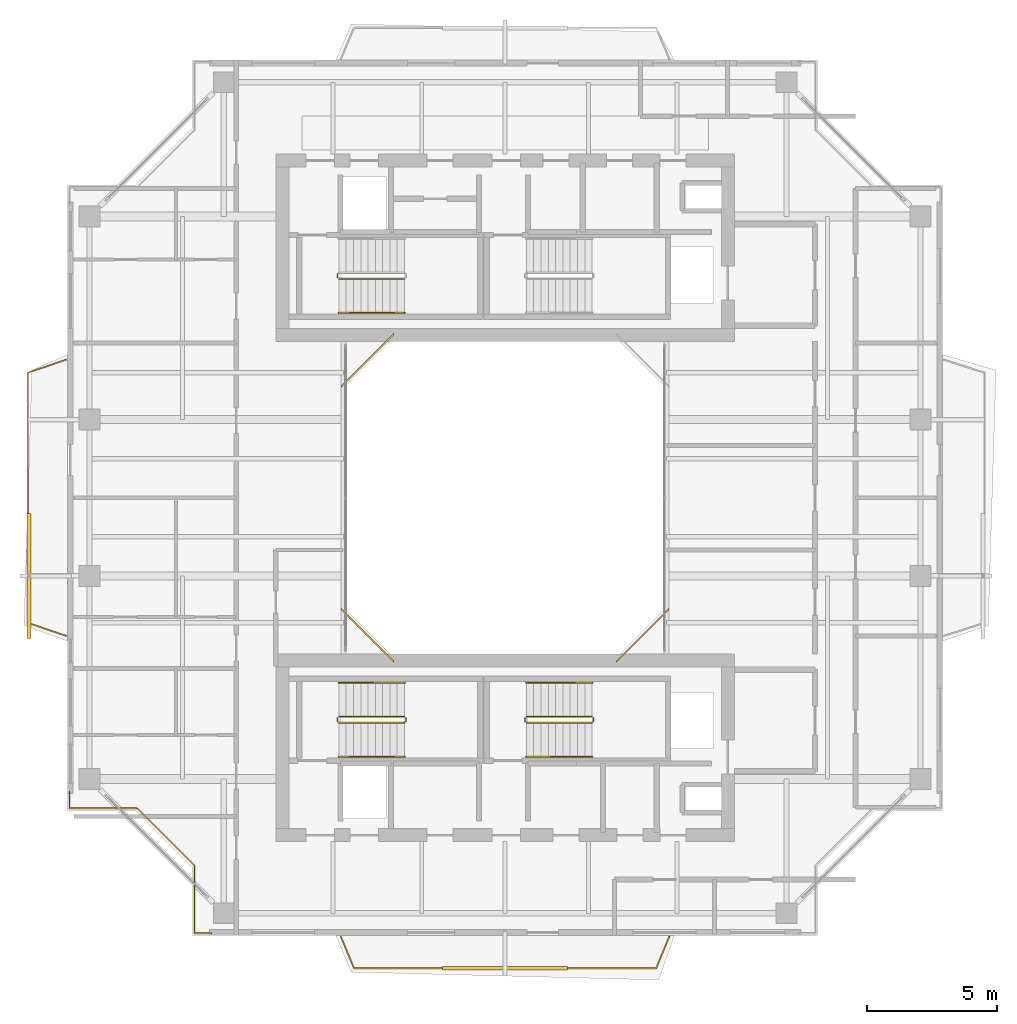
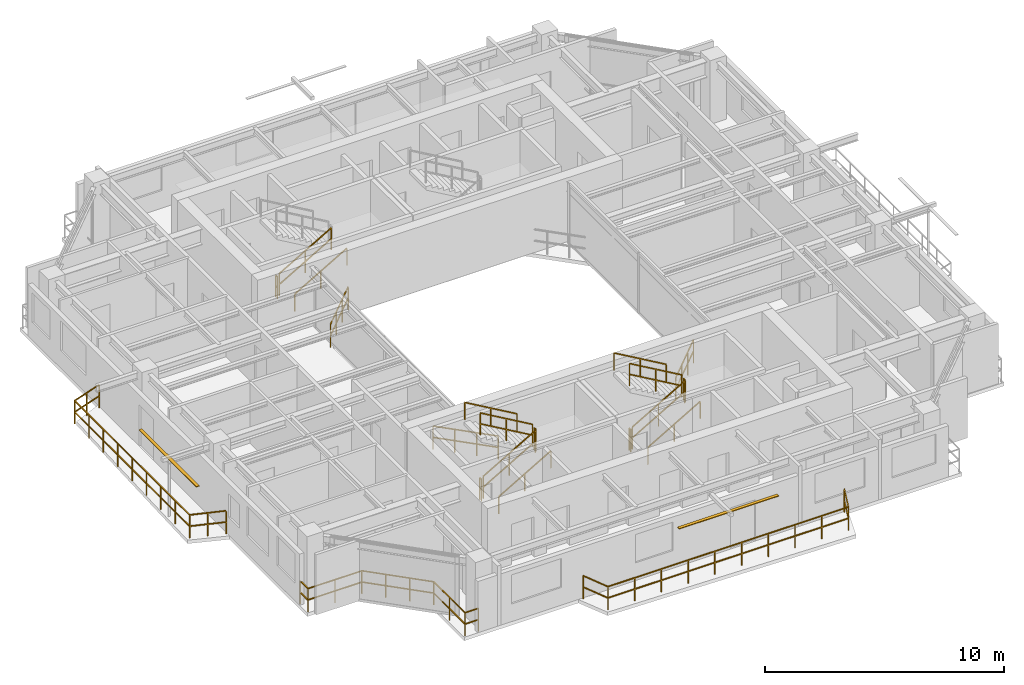
# One storey, part 14 of 16: 21 railings, 2 shading devices.
"""IFC4 building model written with IfcOpenShell, lengths in metres."""

import ifcopenshell
import ifcopenshell.guid

model = None  # the IFC model being written
_history = None  # IfcOwnerHistory: only IFC2X3 demands one
_inside = {}  # id of a spatial element -> (the spatial element, [elements in it])
_under = {}  # id of a project, library or spatial element -> (it, [spatial elements below it])
_declared = {}  # id of a project -> (the project, [libraries it declares])
_typed = {}  # id of a type object -> (the type object, [elements of that type])
_made_of = {}  # id of a material, layer set ... -> (it, [elements and type objects made of it])


def new_model(schema):
    """Start an empty IFC model of exactly this schema.

    Asked for "IFC4X3", IfcOpenShell would pick the latest addendum, in which some entities
    have other attributes; the version numbers below select the first issue.
    IFC2X3 requires an IfcOwnerHistory on every rooted entity: one is made here for all.
    """
    global model, _history
    if schema == "IFC4X3":
        model = ifcopenshell.file(schema_version=(4, 3, 0, 0))
    else:
        model = ifcopenshell.file(schema=schema)
    _inside.clear()
    _under.clear()
    _declared.clear()
    _typed.clear()
    _made_of.clear()
    _history = None
    if model.schema == "IFC2X3":
        org = make("IfcOrganization", Name="unknown")
        user = make(
            "IfcPersonAndOrganization",
            ThePerson=make("IfcPerson", FamilyName="unknown"),
            TheOrganization=org,
        )
        app = make(
            "IfcApplication",
            ApplicationDeveloper=org,
            Version="unknown",
            ApplicationFullName="unknown",
            ApplicationIdentifier="unknown",
        )
        _history = make(
            "IfcOwnerHistory",
            OwningUser=user,
            OwningApplication=app,
            ChangeAction="ADDED",
            CreationDate=0,
        )
    return model


def make(cls, **values):
    """One entity of the class cls with the attributes given. An attribute that is None is left unset."""
    return model.create_entity(
        cls, **{name: value for name, value in values.items() if value is not None}
    )


def rooted(cls, **values):
    """An entity with a GlobalId (a new one), such as an element, a storey or a relation."""
    return make(cls, GlobalId=ifcopenshell.guid.new(), OwnerHistory=_history, **values)


def si_unit(unit_type, name, prefix=None):
    """IfcSIUnit, for example si_unit("LENGTHUNIT", "METRE", prefix="MILLI")."""
    return make("IfcSIUnit", UnitType=unit_type, Prefix=prefix, Name=name)


def assignment(units):
    """IfcUnitAssignment: the units of a project."""
    return None if units is None else make("IfcUnitAssignment", Units=units)


def point(xyz):
    """IfcCartesianPoint."""
    return None if xyz is None else make("IfcCartesianPoint", Coordinates=xyz)


def direction(xyz):
    """IfcDirection."""
    return None if xyz is None else make("IfcDirection", DirectionRatios=xyz)


def frame(location, z_axis=None, x_axis=None):
    """IfcAxis2Placement3D, a coordinate frame: its origin and axes. An axis left out is left unset."""
    return make(
        "IfcAxis2Placement3D",
        Location=point(location),
        Axis=direction(z_axis),
        RefDirection=direction(x_axis),
    )


def frame_2d(location, x_axis=None):
    """IfcAxis2Placement2D, a coordinate frame in the plane: its origin and x axis."""
    return make(
        "IfcAxis2Placement2D", Location=point(location), RefDirection=direction(x_axis)
    )


def origin():
    """The frame at (0, 0, 0) with its axes left unset."""
    return frame((0.0, 0.0, 0.0))


def origin_2d():
    """The frame at (0, 0) in the plane with its x axis left unset."""
    return frame_2d((0.0, 0.0))


def place(relative_to, where):
    """IfcLocalPlacement: puts the frame where relative to a parent placement (None: the world)."""
    return make(
        "IfcLocalPlacement", PlacementRelTo=relative_to, RelativePlacement=where
    )


def context(
    kind, dimensions, precision=None, world=None, true_north=None, identifier=None
):
    """IfcGeometricRepresentationContext, for example the 3D "Model" context."""
    return make(
        "IfcGeometricRepresentationContext",
        ContextIdentifier=identifier,
        ContextType=kind,
        CoordinateSpaceDimension=dimensions,
        Precision=precision,
        WorldCoordinateSystem=world,
        TrueNorth=true_north,
    )


def subcontext(parent, identifier, kind, view, scale=None):
    """IfcGeometricRepresentationSubContext, for example "Body" below "Model"."""
    return make(
        "IfcGeometricRepresentationSubContext",
        ContextIdentifier=identifier,
        ContextType=kind,
        ParentContext=parent,
        TargetScale=scale,
        TargetView=view,
    )


def project(units=None, contexts=None):
    """IfcProject with its units and contexts."""
    return rooted(
        "IfcProject",
        Name="project",
        RepresentationContexts=contexts,
        UnitsInContext=assignment(units),
    )


def spatial(cls, under=None, at=None, **own):
    """A site, building, storey or space (cls), placed at a placement, below another one or the project."""
    s = rooted(cls, ObjectPlacement=at, **own)
    if under is not None:
        _under.setdefault(under.id(), (under, []))[1].append(s)
    return s


def profile(cls, at=None, kind="AREA", **sizes):
    """A parametric profile (cls). Its sizes go by their IFC names, for example OverallWidth=200.0."""
    return make(cls, ProfileType=kind, Position=at, **sizes)


def rectangle(**sizes):
    """IfcRectangleProfileDef."""
    return profile("IfcRectangleProfileDef", **sizes)


def extrude(swept, where, along, depth):
    """IfcExtrudedAreaSolid: the profile swept, set in the frame where, extruded along a direction by depth."""
    return make(
        "IfcExtrudedAreaSolid",
        SweptArea=swept,
        Position=where,
        ExtrudedDirection=direction(along),
        Depth=depth,
    )


def shape(context_of_items, identifier, shape_type, items):
    """IfcShapeRepresentation: the items that make up one representation, for example the "Body"."""
    return make(
        "IfcShapeRepresentation",
        ContextOfItems=context_of_items,
        RepresentationIdentifier=identifier,
        RepresentationType=shape_type,
        Items=items,
    )


def source(mapping_origin, context_of_items, identifier, shape_type, items):
    """IfcRepresentationMap: a shape defined once, which mapped items show again and again."""
    return make(
        "IfcRepresentationMap",
        MappingOrigin=mapping_origin,
        MappedRepresentation=shape(context_of_items, identifier, shape_type, items),
    )


def transform(
    local_origin,
    x_axis=None,
    y_axis=None,
    z_axis=None,
    scale=None,
    scale2=None,
    scale3=None,
    uniform=True,
):
    """IfcCartesianTransformationOperator3D, or its non-uniform kind. x_axis, y_axis, z_axis: its Axis1, 2, 3."""
    if uniform:
        return make(
            "IfcCartesianTransformationOperator3D",
            Axis1=direction(x_axis),
            Axis2=direction(y_axis),
            LocalOrigin=point(local_origin),
            Scale=scale,
            Axis3=direction(z_axis),
        )
    return make(
        "IfcCartesianTransformationOperator3DnonUniform",
        Axis1=direction(x_axis),
        Axis2=direction(y_axis),
        LocalOrigin=point(local_origin),
        Scale=scale,
        Axis3=direction(z_axis),
        Scale2=scale2,
        Scale3=scale3,
    )


def mapped(mapping_source, mapping_target):
    """IfcMappedItem: shows the shape of a source again, moved by a transform."""
    return make(
        "IfcMappedItem", MappingSource=mapping_source, MappingTarget=mapping_target
    )


def material(Name=None, Category=None):
    """IfcMaterial."""
    return make("IfcMaterial", Name=Name, Category=Category)


def material_profile(
    of_material, cross_section, Name=None, Category=None, Priority=None
):
    """IfcMaterialProfile: a cross section and its material."""
    return make(
        "IfcMaterialProfile",
        Name=Name,
        Material=of_material,
        Profile=cross_section,
        Priority=Priority,
        Category=Category,
    )


def profile_set(profiles, Name=None, composite=None):
    """IfcMaterialProfileSet."""
    return make(
        "IfcMaterialProfileSet",
        Name=Name,
        MaterialProfiles=profiles,
        CompositeProfile=composite,
    )


def made_of(thing, what):
    """Note that an element or type object is made of a material, layer set ...; save() writes the relation."""
    if what is not None:
        _made_of.setdefault(what.id(), (what, []))[1].append(thing)
    return thing


def type_object(cls, material=None, **own):
    """A type object (cls), such as IfcWallType, which elements share."""
    return made_of(rooted(cls, **own), material)


def element(
    cls,
    number,
    at=None,
    inside=None,
    cuts=None,
    type_object=None,
    material=None,
    context=None,
    identifier="Body",
    shape_type=None,
    held_by="IfcProductDefinitionShape",
    body=None,
    shapes=None,
    **own,
):
    """One element of the class cls, such as IfcWall. Its Tag is "e" and its number.

    at: its placement. inside: the storey or other place that contains it. cuts: it is an
    opening in that element (IfcRelVoidsElement). A single representation is given by context,
    identifier, shape_type and body (its items); several are given by shapes. held_by: the class
    of the entity that holds the representations. save() writes the other relations.
    """
    e = rooted(cls, Tag="e%d" % number, ObjectPlacement=at, **own)
    if body is not None:
        shapes = [shape(context, identifier, shape_type, body)]
    if shapes is not None:
        e.Representation = make(held_by, Representations=shapes)
    if inside is not None:
        _inside.setdefault(inside.id(), (inside, []))[1].append(e)
    if cuts is not None:
        rooted(
            "IfcRelVoidsElement", RelatingBuildingElement=cuts, RelatedOpeningElement=e
        )
    if type_object is not None:
        _typed.setdefault(type_object.id(), (type_object, []))[1].append(e)
    return made_of(e, material)


def aggregate(whole, parts):
    """IfcRelAggregates: a whole, such as a stair, and the parts it consists of."""
    return rooted("IfcRelAggregates", RelatingObject=whole, RelatedObjects=parts)


def save(model, path):
    """Write the relations noted so far, then the file.

    IfcRelAggregates (storeys below a building ...), IfcRelContainedInSpatialStructure (elements
    in a storey), IfcRelDefinesByType, IfcRelAssociatesMaterial and IfcRelDeclares: one each for
    every whole, place, type object, material and project.
    """
    for whole, parts in _under.values():
        aggregate(whole, parts)
    for where, things in _inside.values():
        rooted(
            "IfcRelContainedInSpatialStructure",
            RelatedElements=things,
            RelatingStructure=where,
        )
    for kind, things in _typed.values():
        rooted("IfcRelDefinesByType", RelatedObjects=things, RelatingType=kind)
    for what, things in _made_of.values():
        rooted("IfcRelAssociatesMaterial", RelatedObjects=things, RelatingMaterial=what)
    for by, libraries in _declared.values():
        rooted("IfcRelDeclares", RelatingContext=by, RelatedDefinitions=libraries)
    model.write(path)


model = new_model("IFC4")

# Units and contexts
model_context = context("Model", 3, precision=1e-05, world=origin(), true_north=direction((0.0, 1.0)))
body_context = subcontext(model_context, "Body", "Model", "MODEL_VIEW")
ifc_project = project(units=[si_unit("LENGTHUNIT", "METRE"), si_unit("AREAUNIT", "SQUARE_METRE"), si_unit("VOLUMEUNIT", "CUBIC_METRE"), si_unit("PLANEANGLEUNIT", "RADIAN"), si_unit("MASSUNIT", "GRAM", prefix="KILO"), si_unit("THERMODYNAMICTEMPERATUREUNIT", "KELVIN"), si_unit("POWERUNIT", "WATT")], contexts=[model_context])

# Site, building, storey
site_placement = place(None, origin())
site = spatial("IfcSite", under=ifc_project, at=site_placement, CompositionType="ELEMENT")
building_placement = place(site_placement, origin())
building = spatial("IfcBuilding", under=site, at=building_placement, Name="Qiaomeng Ring Towers", CompositionType="ELEMENT")
storey_placement = place(building_placement, frame((0.0, 0.0, 210.0)))
storey = spatial("IfcBuildingStorey", under=building, at=storey_placement, Name="L61", CompositionType="ELEMENT", Elevation=210.0)

# Railings
ifc_material_1 = material(Name="Low-E pale-green laminated safety glass", Category="glass")
railing_type_1 = type_object("IfcRailingType", Name="ARC-RL-BAL1", PredefinedType="BALUSTRADE", material=ifc_material_1)
railing_1_placement = place(storey_placement, frame((23.280029296875, 16.719970703125, 0.0)))
element("IfcRailing", 1, at=railing_1_placement, inside=storey, type_object=railing_type_1, Name="L61 Balustrade ARC-BAL-WELL1-L61-1", PredefinedType="BALUSTRADE", context=body_context, shape_type="SweptSolid", body=[
    extrude(rectangle(XDim=0.048095703125, YDim=0.048095703125, at=origin_2d()), frame((0.0, 0.0, 1.17578125), z_axis=(0.707106781187, 0.707106781187, 0.0), x_axis=(-0.707106781187, 0.707106781187, 0.0)), (0.0, 0.0, 1.0), 2.828369140625),
    extrude(rectangle(XDim=0.048095703125, YDim=0.048095703125, at=origin_2d()), frame((0.0, 0.0, 0.60009765625), z_axis=(0.707106781187, 0.707106781187, 0.0), x_axis=(-0.707106781187, 0.707106781187, 0.0)), (0.0, 0.0, 1.0), 2.828369140625),
    extrude(rectangle(XDim=0.0419921875, YDim=0.0419921875, at=origin_2d()), origin(), (0.0, 0.0, 1.0), 1.15185546875),
    extrude(rectangle(XDim=0.0419921875, YDim=0.0419921875, at=origin_2d()), frame((0.666748046875, 0.666748046875, 0.0)), (0.0, 0.0, 1.0), 1.15185546875),
    extrude(rectangle(XDim=0.0419921875, YDim=0.0419921875, at=origin_2d()), frame((1.333251953125, 1.333251953125, 0.0)), (0.0, 0.0, 1.0), 1.15185546875),
    extrude(rectangle(XDim=0.0419921875, YDim=0.0419921875, at=origin_2d()), frame((2.0, 2.0, 0.0)), (0.0, 0.0, 1.0), 1.15185546875),
])
railing_2_placement = place(storey_placement, frame((14.719970703125, 29.280029296875, 0.0)))
element("IfcRailing", 2, at=railing_2_placement, inside=storey, type_object=railing_type_1, Name="L61 Balustrade ARC-BAL-WELL1-L61-3", PredefinedType="BALUSTRADE", context=body_context, shape_type="SweptSolid", body=[
    extrude(rectangle(XDim=0.048095703125, YDim=0.048095703125, at=origin_2d()), frame((0.0, 0.0, 1.17578125), z_axis=(-0.707106781187, -0.707106781187, 0.0), x_axis=(0.707106781187, -0.707106781187, 0.0)), (0.0, 0.0, 1.0), 2.828369140625),
    extrude(rectangle(XDim=0.048095703125, YDim=0.048095703125, at=origin_2d()), frame((0.0, 0.0, 0.60009765625), z_axis=(-0.707106781187, -0.707106781187, 0.0), x_axis=(0.707106781187, -0.707106781187, 0.0)), (0.0, 0.0, 1.0), 2.828369140625),
    extrude(rectangle(XDim=0.0419921875, YDim=0.0419921875, at=origin_2d()), origin(), (0.0, 0.0, 1.0), 1.15185546875),
    extrude(rectangle(XDim=0.0419921875, YDim=0.0419921875, at=origin_2d()), frame((-0.666748046875, -0.666748046875, 0.0)), (0.0, 0.0, 1.0), 1.15185546875),
    extrude(rectangle(XDim=0.0419921875, YDim=0.0419921875, at=origin_2d()), frame((-1.333251953125, -1.333251953125, 0.0)), (0.0, 0.0, 1.0), 1.15185546875),
    extrude(rectangle(XDim=0.0419921875, YDim=0.0419921875, at=origin_2d()), frame((-2.0, -2.0, 0.0)), (0.0, 0.0, 1.0), 1.15185546875),
])
railing_3_placement = place(storey_placement, frame((12.719970703125, 18.719970703125, 0.0)))
element("IfcRailing", 3, at=railing_3_placement, inside=storey, type_object=railing_type_1, Name="L61 Balustrade ARC-BAL-WELL1-L61-4", PredefinedType="BALUSTRADE", context=body_context, shape_type="SweptSolid", body=[
    extrude(rectangle(XDim=0.048095703125, YDim=0.048095703125, at=origin_2d()), frame((0.0, 0.0, 1.17578125), z_axis=(0.707106781187, -0.707106781187, 0.0), x_axis=(0.707106781187, 0.707106781187, 0.0)), (0.0, 0.0, 1.0), 2.828369140625),
    extrude(rectangle(XDim=0.048095703125, YDim=0.048095703125, at=origin_2d()), frame((0.0, 0.0, 0.60009765625), z_axis=(0.707106781187, -0.707106781187, 0.0), x_axis=(0.707106781187, 0.707106781187, 0.0)), (0.0, 0.0, 1.0), 2.828369140625),
    extrude(rectangle(XDim=0.0419921875, YDim=0.0419921875, at=origin_2d()), origin(), (0.0, 0.0, 1.0), 1.15185546875),
    extrude(rectangle(XDim=0.0419921875, YDim=0.0419921875, at=origin_2d()), frame((0.666748046875, -0.666748046875, 0.0)), (0.0, 0.0, 1.0), 1.15185546875),
    extrude(rectangle(XDim=0.0419921875, YDim=0.0419921875, at=origin_2d()), frame((1.333251953125, -1.333251953125, 0.0)), (0.0, 0.0, 1.0), 1.15185546875),
    extrude(rectangle(XDim=0.0419921875, YDim=0.0419921875, at=origin_2d()), frame((2.0, -2.0, 0.0)), (0.0, 0.0, 1.0), 1.15185546875),
])
railing_4_placement = place(storey_placement, frame((2.280029296875, 11.72998046875, 0.0)))
element("IfcRailing", 4, at=railing_4_placement, inside=storey, type_object=railing_type_1, Name="L61 Balustrade ARC-BAL-NOTCH1-L61-SW", PredefinedType="BALUSTRADE", context=body_context, shape_type="SweptSolid", body=[
    extrude(rectangle(XDim=0.048095703125, YDim=0.048095703125, at=origin_2d()), frame((0.0, 0.0, 1.17578125), z_axis=(0.0, -1.0, 0.0), x_axis=(1.0, 0.0, 0.0)), (0.0, 0.0, 1.0), 0.64990234375),
    extrude(rectangle(XDim=0.048095703125, YDim=0.048095703125, at=origin_2d()), frame((0.0, 0.0, 0.60009765625), z_axis=(0.0, -1.0, 0.0), x_axis=(1.0, 0.0, 0.0)), (0.0, 0.0, 1.0), 0.64990234375),
    extrude(rectangle(XDim=0.048095703125, YDim=0.048095703125, at=origin_2d()), frame((0.0, -0.64990234375, 1.17578125), z_axis=(1.0, 0.0, 0.0), x_axis=(0.0, 1.0, 0.0)), (0.0, 0.0, 1.0), 2.599853515625),
    extrude(rectangle(XDim=0.048095703125, YDim=0.048095703125, at=origin_2d()), frame((0.0, -0.64990234375, 0.60009765625), z_axis=(1.0, 0.0, 0.0), x_axis=(0.0, 1.0, 0.0)), (0.0, 0.0, 1.0), 2.599853515625),
    extrude(rectangle(XDim=0.048095703125, YDim=0.048095703125, at=origin_2d()), frame((2.599853515625, -0.64990234375, 1.17578125), z_axis=(0.707106781187, -0.707106781187, 0.0), x_axis=(0.707106781187, 0.707106781187, 0.0)), (0.0, 0.0, 1.0), 3.111572265625),
    extrude(rectangle(XDim=0.048095703125, YDim=0.048095703125, at=origin_2d()), frame((2.599853515625, -0.64990234375, 0.60009765625), z_axis=(0.707106781187, -0.707106781187, 0.0), x_axis=(0.707106781187, 0.707106781187, 0.0)), (0.0, 0.0, 1.0), 3.111572265625),
    extrude(rectangle(XDim=0.048095703125, YDim=0.048095703125, at=origin_2d()), frame((4.800048828125, -2.85009765625, 1.17578125), z_axis=(0.0, -1.0, 0.0), x_axis=(1.0, 0.0, 0.0)), (0.0, 0.0, 1.0), 2.599853515625),
    extrude(rectangle(XDim=0.048095703125, YDim=0.048095703125, at=origin_2d()), frame((4.800048828125, -2.85009765625, 0.60009765625), z_axis=(0.0, -1.0, 0.0), x_axis=(1.0, 0.0, 0.0)), (0.0, 0.0, 1.0), 2.599853515625),
    extrude(rectangle(XDim=0.048095703125, YDim=0.048095703125, at=origin_2d()), frame((4.800048828125, -5.449951171875, 1.17578125), z_axis=(1.0, 0.0, 0.0), x_axis=(0.0, 1.0, 0.0)), (0.0, 0.0, 1.0), 0.64990234375),
    extrude(rectangle(XDim=0.048095703125, YDim=0.048095703125, at=origin_2d()), frame((4.800048828125, -5.449951171875, 0.60009765625), z_axis=(1.0, 0.0, 0.0), x_axis=(0.0, 1.0, 0.0)), (0.0, 0.0, 1.0), 0.64990234375),
    extrude(rectangle(XDim=0.0419921875, YDim=0.0419921875, at=origin_2d()), origin(), (0.0, 0.0, 1.0), 1.15185546875),
    extrude(rectangle(XDim=0.0419921875, YDim=0.0419921875, at=origin_2d()), frame((0.0, -0.64990234375, 0.0)), (0.0, 0.0, 1.0), 1.15185546875),
    extrude(rectangle(XDim=0.0419921875, YDim=0.0419921875, at=origin_2d()), frame((1.2998046875, -0.64990234375, 0.0)), (0.0, 0.0, 1.0), 1.15185546875),
    extrude(rectangle(XDim=0.0419921875, YDim=0.0419921875, at=origin_2d()), frame((2.599853515625, -0.64990234375, 0.0)), (0.0, 0.0, 1.0), 1.15185546875),
    extrude(rectangle(XDim=0.0419921875, YDim=0.0419921875, at=origin_2d()), frame((3.333251953125, -1.38330078125, 0.0)), (0.0, 0.0, 1.0), 1.15185546875),
    extrude(rectangle(XDim=0.0419921875, YDim=0.0419921875, at=origin_2d()), frame((4.066650390625, -2.11669921875, 0.0)), (0.0, 0.0, 1.0), 1.15185546875),
    extrude(rectangle(XDim=0.0419921875, YDim=0.0419921875, at=origin_2d()), frame((4.800048828125, -2.85009765625, 0.0)), (0.0, 0.0, 1.0), 1.15185546875),
    extrude(rectangle(XDim=0.0419921875, YDim=0.0419921875, at=origin_2d()), frame((4.800048828125, -4.14990234375, 0.0)), (0.0, 0.0, 1.0), 1.15185546875),
    extrude(rectangle(XDim=0.0419921875, YDim=0.0419921875, at=origin_2d()), frame((4.800048828125, -5.449951171875, 0.0)), (0.0, 0.0, 1.0), 1.15185546875),
    extrude(rectangle(XDim=0.0419921875, YDim=0.0419921875, at=origin_2d()), frame((5.449951171875, -5.449951171875, 0.0)), (0.0, 0.0, 1.0), 1.15185546875),
])
railing_5_placement = place(storey_placement, frame((12.699951171875, 6.14990234375, 0.0)))
element("IfcRailing", 5, at=railing_5_placement, inside=storey, type_object=railing_type_1, Name="L61 Balustrade ARC-BAL-L61-T1-S", PredefinedType="BALUSTRADE", context=body_context, shape_type="SweptSolid", body=[
    extrude(rectangle(XDim=0.048095703125, YDim=0.048095703125, at=origin_2d()), frame((0.0, 0.0, 1.17578125), z_axis=(0.381912525892, -0.924198475743, 0.0), x_axis=(0.924198475743, 0.381912525892, 0.0)), (0.0, 0.0, 1.0), 1.30908203125),
    extrude(rectangle(XDim=0.048095703125, YDim=0.048095703125, at=origin_2d()), frame((0.0, 0.0, 0.60009765625), z_axis=(0.381912525892, -0.924198475743, 0.0), x_axis=(0.924198475743, 0.381912525892, 0.0)), (0.0, 0.0, 1.0), 1.30908203125),
    extrude(rectangle(XDim=0.048095703125, YDim=0.048095703125, at=origin_2d()), frame((0.5, -1.2099609375, 1.17578125), z_axis=(1.0, 0.0, 0.0), x_axis=(0.0, 1.0, 0.0)), (0.0, 0.0, 1.0), 11.60009765625),
    extrude(rectangle(XDim=0.048095703125, YDim=0.048095703125, at=origin_2d()), frame((0.5, -1.2099609375, 0.60009765625), z_axis=(1.0, 0.0, 0.0), x_axis=(0.0, 1.0, 0.0)), (0.0, 0.0, 1.0), 11.60009765625),
    extrude(rectangle(XDim=0.048095703125, YDim=0.048095703125, at=origin_2d()), frame((12.10009765625, -1.2099609375, 1.17578125), z_axis=(0.381912525892, 0.924198475743, 0.0), x_axis=(-0.924198475743, 0.381912525892, 0.0)), (0.0, 0.0, 1.0), 1.30908203125),
    extrude(rectangle(XDim=0.048095703125, YDim=0.048095703125, at=origin_2d()), frame((12.10009765625, -1.2099609375, 0.60009765625), z_axis=(0.381912525892, 0.924198475743, 0.0), x_axis=(-0.924198475743, 0.381912525892, 0.0)), (0.0, 0.0, 1.0), 1.30908203125),
    extrude(rectangle(XDim=0.0419921875, YDim=0.0419921875, at=origin_2d()), origin(), (0.0, 0.0, 1.0), 1.15185546875),
    extrude(rectangle(XDim=0.0419921875, YDim=0.0419921875, at=origin_2d()), frame((0.5, -1.2099609375, 0.0)), (0.0, 0.0, 1.0), 1.15185546875),
    extrude(rectangle(XDim=0.0419921875, YDim=0.0419921875, at=origin_2d()), frame((1.788818359375, -1.2099609375, 0.0)), (0.0, 0.0, 1.0), 1.15185546875),
    extrude(rectangle(XDim=0.0419921875, YDim=0.0419921875, at=origin_2d()), frame((3.077880859375, -1.2099609375, 0.0)), (0.0, 0.0, 1.0), 1.15185546875),
    extrude(rectangle(XDim=0.0419921875, YDim=0.0419921875, at=origin_2d()), frame((4.36669921875, -1.2099609375, 0.0)), (0.0, 0.0, 1.0), 1.15185546875),
    extrude(rectangle(XDim=0.0419921875, YDim=0.0419921875, at=origin_2d()), frame((5.655517578125, -1.2099609375, 0.0)), (0.0, 0.0, 1.0), 1.15185546875),
    extrude(rectangle(XDim=0.0419921875, YDim=0.0419921875, at=origin_2d()), frame((6.944580078125, -1.2099609375, 0.0)), (0.0, 0.0, 1.0), 1.15185546875),
    extrude(rectangle(XDim=0.0419921875, YDim=0.0419921875, at=origin_2d()), frame((8.2333984375, -1.2099609375, 0.0)), (0.0, 0.0, 1.0), 1.15185546875),
    extrude(rectangle(XDim=0.0419921875, YDim=0.0419921875, at=origin_2d()), frame((9.522216796875, -1.2099609375, 0.0)), (0.0, 0.0, 1.0), 1.15185546875),
    extrude(rectangle(XDim=0.0419921875, YDim=0.0419921875, at=origin_2d()), frame((10.811279296875, -1.2099609375, 0.0)), (0.0, 0.0, 1.0), 1.15185546875),
    extrude(rectangle(XDim=0.0419921875, YDim=0.0419921875, at=origin_2d()), frame((12.10009765625, -1.2099609375, 0.0)), (0.0, 0.0, 1.0), 1.15185546875),
    extrude(rectangle(XDim=0.0419921875, YDim=0.0419921875, at=origin_2d()), frame((12.60009765625, 0.0, 0.0)), (0.0, 0.0, 1.0), 1.15185546875),
])
railing_6_placement = place(storey_placement, frame((2.14990234375, 17.699951171875, 0.0)))
element("IfcRailing", 6, at=railing_6_placement, inside=storey, type_object=railing_type_1, Name="L61 Balustrade ARC-BAL-L61-T1-W", PredefinedType="BALUSTRADE", context=body_context, shape_type="SweptSolid", body=[
    extrude(rectangle(XDim=0.048095703125, YDim=0.048095703125, at=origin_2d()), frame((0.0, 0.0, 1.17578125), z_axis=(-0.946731524739, 0.322023943309, 0.0), x_axis=(-0.322023943309, -0.946731524739, 0.0)), (0.0, 0.0, 1.0), 1.552734375),
    extrude(rectangle(XDim=0.048095703125, YDim=0.048095703125, at=origin_2d()), frame((0.0, 0.0, 0.60009765625), z_axis=(-0.946731524739, 0.322023943309, 0.0), x_axis=(-0.322023943309, -0.946731524739, 0.0)), (0.0, 0.0, 1.0), 1.552734375),
    extrude(rectangle(XDim=0.048095703125, YDim=0.048095703125, at=origin_2d()), frame((-1.469970703125, 0.5, 1.17578125), z_axis=(0.0, 1.0, 0.0), x_axis=(-1.0, 0.0, 0.0)), (0.0, 0.0, 1.0), 9.60009765625),
    extrude(rectangle(XDim=0.048095703125, YDim=0.048095703125, at=origin_2d()), frame((-1.469970703125, 0.5, 0.60009765625), z_axis=(0.0, 1.0, 0.0), x_axis=(-1.0, 0.0, 0.0)), (0.0, 0.0, 1.0), 9.60009765625),
    extrude(rectangle(XDim=0.048095703125, YDim=0.048095703125, at=origin_2d()), frame((-1.469970703125, 10.10009765625, 1.17578125), z_axis=(0.946731524739, 0.322023943309, 0.0), x_axis=(-0.322023943309, 0.946731524739, 0.0)), (0.0, 0.0, 1.0), 1.552734375),
    extrude(rectangle(XDim=0.048095703125, YDim=0.048095703125, at=origin_2d()), frame((-1.469970703125, 10.10009765625, 0.60009765625), z_axis=(0.946731524739, 0.322023943309, 0.0), x_axis=(-0.322023943309, 0.946731524739, 0.0)), (0.0, 0.0, 1.0), 1.552734375),
    extrude(rectangle(XDim=0.0419921875, YDim=0.0419921875, at=origin_2d()), origin(), (0.0, 0.0, 1.0), 1.15185546875),
    extrude(rectangle(XDim=0.0419921875, YDim=0.0419921875, at=origin_2d()), frame((-0.73486328125, 0.25, 0.0)), (0.0, 0.0, 1.0), 1.15185546875),
    extrude(rectangle(XDim=0.0419921875, YDim=0.0419921875, at=origin_2d()), frame((-1.469970703125, 0.5, 0.0)), (0.0, 0.0, 1.0), 1.15185546875),
    extrude(rectangle(XDim=0.0419921875, YDim=0.0419921875, at=origin_2d()), frame((-1.469970703125, 1.699951171875, 0.0)), (0.0, 0.0, 1.0), 1.15185546875),
    extrude(rectangle(XDim=0.0419921875, YDim=0.0419921875, at=origin_2d()), frame((-1.469970703125, 2.89990234375, 0.0)), (0.0, 0.0, 1.0), 1.15185546875),
    extrude(rectangle(XDim=0.0419921875, YDim=0.0419921875, at=origin_2d()), frame((-1.469970703125, 4.10009765625, 0.0)), (0.0, 0.0, 1.0), 1.15185546875),
    extrude(rectangle(XDim=0.0419921875, YDim=0.0419921875, at=origin_2d()), frame((-1.469970703125, 5.300048828125, 0.0)), (0.0, 0.0, 1.0), 1.15185546875),
    extrude(rectangle(XDim=0.0419921875, YDim=0.0419921875, at=origin_2d()), frame((-1.469970703125, 6.5, 0.0)), (0.0, 0.0, 1.0), 1.15185546875),
    extrude(rectangle(XDim=0.0419921875, YDim=0.0419921875, at=origin_2d()), frame((-1.469970703125, 7.7001953125, 0.0)), (0.0, 0.0, 1.0), 1.15185546875),
    extrude(rectangle(XDim=0.0419921875, YDim=0.0419921875, at=origin_2d()), frame((-1.469970703125, 8.900146484375, 0.0)), (0.0, 0.0, 1.0), 1.15185546875),
    extrude(rectangle(XDim=0.0419921875, YDim=0.0419921875, at=origin_2d()), frame((-1.469970703125, 10.10009765625, 0.0)), (0.0, 0.0, 1.0), 1.15185546875),
    extrude(rectangle(XDim=0.0419921875, YDim=0.0419921875, at=origin_2d()), frame((-0.73486328125, 10.35009765625, 0.0)), (0.0, 0.0, 1.0), 1.15185546875),
    extrude(rectangle(XDim=0.0419921875, YDim=0.0419921875, at=origin_2d()), frame((0.0, 10.60009765625, 0.0)), (0.0, 0.0, 1.0), 1.15185546875),
])
ifc_material_2 = material(Name="Galvanised steel", Category="steel")
railing_type_2 = type_object("IfcRailingType", Name="ARC-RL-GUARD", PredefinedType="GUARDRAIL", material=ifc_material_2)
railing_7_placement = place(storey_placement, frame((12.6201171875, 31.39990234375, 0.16259765625)))
element("IfcRailing", 7, at=railing_7_placement, inside=storey, type_object=railing_type_2, Name="L61 ST1 stair guard 1", PredefinedType="GUARDRAIL", context=body_context, shape_type="SweptSolid", body=[
    extrude(rectangle(XDim=0.048095703125, YDim=0.048095703125, at=origin_2d()), frame((0.0, 0.0, 1.1259765625), z_axis=(0.864892226395, 0.0, 0.501957604506), x_axis=(0.0, 1.0, 0.0)), (0.0, 0.0, 1.0), 2.913330078125),
    extrude(rectangle(XDim=0.048095703125, YDim=0.048095703125, at=origin_2d()), frame((0.0, 0.0, 0.574951171875), z_axis=(0.864892226395, 0.0, 0.501957604506), x_axis=(0.0, 1.0, 0.0)), (0.0, 0.0, 1.0), 2.913330078125),
    extrude(rectangle(XDim=0.0419921875, YDim=0.0419921875, at=origin_2d()), origin(), (0.0, 0.0, 1.0), 1.101806640625),
    extrude(rectangle(XDim=0.0419921875, YDim=0.0419921875, at=origin_2d()), frame((1.259765625, 0.0, 0.731201171875)), (0.0, 0.0, 1.0), 1.101806640625),
    extrude(rectangle(XDim=0.0419921875, YDim=0.0419921875, at=origin_2d()), frame((2.519775390625, 0.0, 1.46240234375)), (0.0, 0.0, 1.0), 1.101806640625),
])
railing_8_placement = place(storey_placement, frame((12.570068359375, 31.449951171875, 0.0)))
element("IfcRailing", 8, at=railing_8_placement, inside=storey, type_object=railing_type_2, Name="L61 ST1 stair guard 4", PredefinedType="GUARDRAIL", context=body_context, shape_type="SweptSolid", body=[
    extrude(rectangle(XDim=0.048095703125, YDim=0.048095703125, at=origin_2d()), frame((0.0, 0.0, 1.1259765625), z_axis=(0.0, 1.0, 0.0), x_axis=(-1.0, 0.0, 0.0)), (0.0, 0.0, 1.0), 0.14013671875),
    extrude(rectangle(XDim=0.048095703125, YDim=0.048095703125, at=origin_2d()), frame((0.0, 0.0, 0.574951171875), z_axis=(0.0, 1.0, 0.0), x_axis=(-1.0, 0.0, 0.0)), (0.0, 0.0, 1.0), 0.14013671875),
    extrude(rectangle(XDim=0.0419921875, YDim=0.0419921875, at=origin_2d()), origin(), (0.0, 0.0, 1.0), 1.101806640625),
    extrude(rectangle(XDim=0.0419921875, YDim=0.0419921875, at=origin_2d()), frame((0.0, 0.14013671875, 0.0)), (0.0, 0.0, 1.0), 1.101806640625),
])
railing_9_placement = place(storey_placement, frame((12.6201171875, 14.360107421875, 0.16259765625)))
element("IfcRailing", 9, at=railing_9_placement, inside=storey, type_object=railing_type_2, Name="L61 ST3 stair guard 1", PredefinedType="GUARDRAIL", context=body_context, shape_type="SweptSolid", body=[
    extrude(rectangle(XDim=0.048095703125, YDim=0.048095703125, at=origin_2d()), frame((0.0, 0.0, 1.1259765625), z_axis=(0.864892226395, 0.0, 0.501957604506), x_axis=(0.0, 1.0, 0.0)), (0.0, 0.0, 1.0), 2.913330078125),
    extrude(rectangle(XDim=0.048095703125, YDim=0.048095703125, at=origin_2d()), frame((0.0, 0.0, 0.574951171875), z_axis=(0.864892226395, 0.0, 0.501957604506), x_axis=(0.0, 1.0, 0.0)), (0.0, 0.0, 1.0), 2.913330078125),
    extrude(rectangle(XDim=0.0419921875, YDim=0.0419921875, at=origin_2d()), origin(), (0.0, 0.0, 1.0), 1.101806640625),
    extrude(rectangle(XDim=0.0419921875, YDim=0.0419921875, at=origin_2d()), frame((1.259765625, 0.0, 0.731201171875)), (0.0, 0.0, 1.0), 1.101806640625),
    extrude(rectangle(XDim=0.0419921875, YDim=0.0419921875, at=origin_2d()), frame((2.519775390625, 0.0, 1.46240234375)), (0.0, 0.0, 1.0), 1.101806640625),
])
railing_10_placement = place(storey_placement, frame((15.18994140625, 14.409912109375, 1.625)))
element("IfcRailing", 10, at=railing_10_placement, inside=storey, type_object=railing_type_2, Name="L61 ST3 stair guard 2", PredefinedType="GUARDRAIL", context=body_context, shape_type="SweptSolid", body=[
    extrude(rectangle(XDim=0.048095703125, YDim=0.048095703125, at=origin_2d()), frame((0.0, 0.0, 1.1259765625), z_axis=(0.0, 1.0, 0.0), x_axis=(-1.0, 0.0, 0.0)), (0.0, 0.0, 1.0), 0.14013671875),
    extrude(rectangle(XDim=0.048095703125, YDim=0.048095703125, at=origin_2d()), frame((0.0, 0.0, 0.574951171875), z_axis=(0.0, 1.0, 0.0), x_axis=(-1.0, 0.0, 0.0)), (0.0, 0.0, 1.0), 0.14013671875),
    extrude(rectangle(XDim=0.0419921875, YDim=0.0419921875, at=origin_2d()), origin(), (0.0, 0.0, 1.0), 1.101806640625),
    extrude(rectangle(XDim=0.0419921875, YDim=0.0419921875, at=origin_2d()), frame((0.0, 0.14013671875, 0.0)), (0.0, 0.0, 1.0), 1.101806640625),
])
railing_11_placement = place(storey_placement, frame((15.139892578125, 14.60009765625, 1.78759765625)))
element("IfcRailing", 11, at=railing_11_placement, inside=storey, type_object=railing_type_2, Name="L61 ST3 stair guard 3", PredefinedType="GUARDRAIL", context=body_context, shape_type="SweptSolid", body=[
    extrude(rectangle(XDim=0.048095703125, YDim=0.048095703125, at=origin_2d()), frame((0.0, 0.0, 1.1259765625), z_axis=(-0.864892226395, 0.0, 0.501957604506), x_axis=(0.0, -1.0, 0.0)), (0.0, 0.0, 1.0), 2.913330078125),
    extrude(rectangle(XDim=0.048095703125, YDim=0.048095703125, at=origin_2d()), frame((0.0, 0.0, 0.574951171875), z_axis=(-0.864892226395, 0.0, 0.501957604506), x_axis=(0.0, -1.0, 0.0)), (0.0, 0.0, 1.0), 2.913330078125),
    extrude(rectangle(XDim=0.0419921875, YDim=0.0419921875, at=origin_2d()), origin(), (0.0, 0.0, 1.0), 1.101806640625),
    extrude(rectangle(XDim=0.0419921875, YDim=0.0419921875, at=origin_2d()), frame((-1.259765625, 0.0, 0.731201171875)), (0.0, 0.0, 1.0), 1.101806640625),
    extrude(rectangle(XDim=0.0419921875, YDim=0.0419921875, at=origin_2d()), frame((-2.519775390625, 0.0, 1.46240234375)), (0.0, 0.0, 1.0), 1.101806640625),
])
railing_12_placement = place(storey_placement, frame((12.570068359375, 14.409912109375, 0.0)))
element("IfcRailing", 12, at=railing_12_placement, inside=storey, type_object=railing_type_2, Name="L61 ST3 stair guard 4", PredefinedType="GUARDRAIL", context=body_context, shape_type="SweptSolid", body=[
    extrude(rectangle(XDim=0.048095703125, YDim=0.048095703125, at=origin_2d()), frame((0.0, 0.0, 1.1259765625), z_axis=(0.0, 1.0, 0.0), x_axis=(-1.0, 0.0, 0.0)), (0.0, 0.0, 1.0), 0.14013671875),
    extrude(rectangle(XDim=0.048095703125, YDim=0.048095703125, at=origin_2d()), frame((0.0, 0.0, 0.574951171875), z_axis=(0.0, 1.0, 0.0), x_axis=(-1.0, 0.0, 0.0)), (0.0, 0.0, 1.0), 0.14013671875),
    extrude(rectangle(XDim=0.0419921875, YDim=0.0419921875, at=origin_2d()), origin(), (0.0, 0.0, 1.0), 1.101806640625),
    extrude(rectangle(XDim=0.0419921875, YDim=0.0419921875, at=origin_2d()), frame((0.0, 0.14013671875, 0.0)), (0.0, 0.0, 1.0), 1.101806640625),
])
railing_13_placement = place(storey_placement, frame((19.820068359375, 14.360107421875, 0.16259765625)))
element("IfcRailing", 13, at=railing_13_placement, inside=storey, type_object=railing_type_2, Name="L61 ST4 stair guard 1", PredefinedType="GUARDRAIL", context=body_context, shape_type="SweptSolid", body=[
    extrude(rectangle(XDim=0.048095703125, YDim=0.048095703125, at=origin_2d()), frame((0.0, 0.0, 1.1259765625), z_axis=(0.864913338283, 0.0, 0.50192122615), x_axis=(0.0, 1.0, 0.0)), (0.0, 0.0, 1.0), 2.91357421875),
    extrude(rectangle(XDim=0.048095703125, YDim=0.048095703125, at=origin_2d()), frame((0.0, 0.0, 0.574951171875), z_axis=(0.864913338283, 0.0, 0.50192122615), x_axis=(0.0, 1.0, 0.0)), (0.0, 0.0, 1.0), 2.91357421875),
    extrude(rectangle(XDim=0.0419921875, YDim=0.0419921875, at=origin_2d()), origin(), (0.0, 0.0, 1.0), 1.101806640625),
    extrude(rectangle(XDim=0.0419921875, YDim=0.0419921875, at=origin_2d()), frame((1.260009765625, 0.0, 0.731201171875)), (0.0, 0.0, 1.0), 1.101806640625),
    extrude(rectangle(XDim=0.0419921875, YDim=0.0419921875, at=origin_2d()), frame((2.52001953125, 0.0, 1.46240234375)), (0.0, 0.0, 1.0), 1.101806640625),
])
railing_14_placement = place(storey_placement, frame((22.389892578125, 14.409912109375, 1.625)))
element("IfcRailing", 14, at=railing_14_placement, inside=storey, type_object=railing_type_2, Name="L61 ST4 stair guard 2", PredefinedType="GUARDRAIL", context=body_context, shape_type="SweptSolid", body=[
    extrude(rectangle(XDim=0.048095703125, YDim=0.048095703125, at=origin_2d()), frame((0.0, 0.0, 1.1259765625), z_axis=(0.0, 1.0, 0.0), x_axis=(-1.0, 0.0, 0.0)), (0.0, 0.0, 1.0), 0.14013671875),
    extrude(rectangle(XDim=0.048095703125, YDim=0.048095703125, at=origin_2d()), frame((0.0, 0.0, 0.574951171875), z_axis=(0.0, 1.0, 0.0), x_axis=(-1.0, 0.0, 0.0)), (0.0, 0.0, 1.0), 0.14013671875),
    extrude(rectangle(XDim=0.0419921875, YDim=0.0419921875, at=origin_2d()), origin(), (0.0, 0.0, 1.0), 1.101806640625),
    extrude(rectangle(XDim=0.0419921875, YDim=0.0419921875, at=origin_2d()), frame((0.0, 0.14013671875, 0.0)), (0.0, 0.0, 1.0), 1.101806640625),
])
railing_15_placement = place(storey_placement, frame((22.340087890625, 14.60009765625, 1.78759765625)))
element("IfcRailing", 15, at=railing_15_placement, inside=storey, type_object=railing_type_2, Name="L61 ST4 stair guard 3", PredefinedType="GUARDRAIL", context=body_context, shape_type="SweptSolid", body=[
    extrude(rectangle(XDim=0.048095703125, YDim=0.048095703125, at=origin_2d()), frame((0.0, 0.0, 1.1259765625), z_axis=(-0.864913338283, 0.0, 0.50192122615), x_axis=(0.0, -1.0, 0.0)), (0.0, 0.0, 1.0), 2.91357421875),
    extrude(rectangle(XDim=0.048095703125, YDim=0.048095703125, at=origin_2d()), frame((0.0, 0.0, 0.574951171875), z_axis=(-0.864913338283, 0.0, 0.50192122615), x_axis=(0.0, -1.0, 0.0)), (0.0, 0.0, 1.0), 2.91357421875),
    extrude(rectangle(XDim=0.0419921875, YDim=0.0419921875, at=origin_2d()), origin(), (0.0, 0.0, 1.0), 1.101806640625),
    extrude(rectangle(XDim=0.0419921875, YDim=0.0419921875, at=origin_2d()), frame((-1.260009765625, 0.0, 0.731201171875)), (0.0, 0.0, 1.0), 1.101806640625),
    extrude(rectangle(XDim=0.0419921875, YDim=0.0419921875, at=origin_2d()), frame((-2.52001953125, 0.0, 1.46240234375)), (0.0, 0.0, 1.0), 1.101806640625),
])
railing_16_placement = place(storey_placement, frame((19.77001953125, 14.409912109375, 0.0)))
element("IfcRailing", 16, at=railing_16_placement, inside=storey, type_object=railing_type_2, Name="L61 ST4 stair guard 4", PredefinedType="GUARDRAIL", context=body_context, shape_type="SweptSolid", body=[
    extrude(rectangle(XDim=0.048095703125, YDim=0.048095703125, at=origin_2d()), frame((0.0, 0.0, 1.1259765625), z_axis=(0.0, 1.0, 0.0), x_axis=(-1.0, 0.0, 0.0)), (0.0, 0.0, 1.0), 0.14013671875),
    extrude(rectangle(XDim=0.048095703125, YDim=0.048095703125, at=origin_2d()), frame((0.0, 0.0, 0.574951171875), z_axis=(0.0, 1.0, 0.0), x_axis=(-1.0, 0.0, 0.0)), (0.0, 0.0, 1.0), 0.14013671875),
    extrude(rectangle(XDim=0.0419921875, YDim=0.0419921875, at=origin_2d()), origin(), (0.0, 0.0, 1.0), 1.101806640625),
    extrude(rectangle(XDim=0.0419921875, YDim=0.0419921875, at=origin_2d()), frame((0.0, 0.14013671875, 0.0)), (0.0, 0.0, 1.0), 1.101806640625),
])
ifc_material_3 = material(Name="Stainless steel 316", Category="steel")
railing_type_3 = type_object("IfcRailingType", Name="ARC-RL-HAND", PredefinedType="HANDRAIL", material=ifc_material_3)
for number, where, name in (
    (17, (12.6201171875, 30.10009765625, 0.16259765625), "L61 ST1 stair handrail 1"),
    (18, (12.6201171875, 13.06005859375, 0.16259765625), "L61 ST3 stair handrail 1"),
):
    element("IfcRailing", number, at=place(storey_placement, frame(where)), inside=storey, type_object=railing_type_3, Name=name, PredefinedType="HANDRAIL", context=body_context, shape_type="SweptSolid", body=[
        extrude(rectangle(XDim=0.048095703125, YDim=0.048095703125, at=origin_2d()), frame((0.0, 0.0, 0.8759765625), z_axis=(0.864892226395, 0.0, 0.501957604506), x_axis=(0.0, 1.0, 0.0)), (0.0, 0.0, 1.0), 2.913330078125),
        extrude(rectangle(XDim=0.0419921875, YDim=0.0419921875, at=origin_2d()), origin(), (0.0, 0.0, 1.0), 0.851806640625),
        extrude(rectangle(XDim=0.0419921875, YDim=0.0419921875, at=origin_2d()), frame((1.259765625, 0.0, 0.731201171875)), (0.0, 0.0, 1.0), 0.851806640625),
        extrude(rectangle(XDim=0.0419921875, YDim=0.0419921875, at=origin_2d()), frame((2.519775390625, 0.0, 1.46240234375)), (0.0, 0.0, 1.0), 0.851806640625),
    ])
railing_17_placement = place(storey_placement, frame((15.139892578125, 15.89990234375, 1.78759765625)))
element("IfcRailing", 19, at=railing_17_placement, inside=storey, type_object=railing_type_3, Name="L61 ST3 stair handrail 2", PredefinedType="HANDRAIL", context=body_context, shape_type="SweptSolid", body=[
    extrude(rectangle(XDim=0.048095703125, YDim=0.048095703125, at=origin_2d()), frame((0.0, 0.0, 0.8759765625), z_axis=(-0.864892226395, 0.0, 0.501957604506), x_axis=(0.0, -1.0, 0.0)), (0.0, 0.0, 1.0), 2.913330078125),
    extrude(rectangle(XDim=0.0419921875, YDim=0.0419921875, at=origin_2d()), origin(), (0.0, 0.0, 1.0), 0.851806640625),
    extrude(rectangle(XDim=0.0419921875, YDim=0.0419921875, at=origin_2d()), frame((-1.259765625, 0.0, 0.731201171875)), (0.0, 0.0, 1.0), 0.851806640625),
    extrude(rectangle(XDim=0.0419921875, YDim=0.0419921875, at=origin_2d()), frame((-2.519775390625, 0.0, 1.46240234375)), (0.0, 0.0, 1.0), 0.851806640625),
])
railing_18_placement = place(storey_placement, frame((19.820068359375, 13.06005859375, 0.16259765625)))
element("IfcRailing", 20, at=railing_18_placement, inside=storey, type_object=railing_type_3, Name="L61 ST4 stair handrail 1", PredefinedType="HANDRAIL", context=body_context, shape_type="SweptSolid", body=[
    extrude(rectangle(XDim=0.048095703125, YDim=0.048095703125, at=origin_2d()), frame((0.0, 0.0, 0.8759765625), z_axis=(0.864913338283, 0.0, 0.50192122615), x_axis=(0.0, 1.0, 0.0)), (0.0, 0.0, 1.0), 2.91357421875),
    extrude(rectangle(XDim=0.0419921875, YDim=0.0419921875, at=origin_2d()), origin(), (0.0, 0.0, 1.0), 0.851806640625),
    extrude(rectangle(XDim=0.0419921875, YDim=0.0419921875, at=origin_2d()), frame((1.260009765625, 0.0, 0.731201171875)), (0.0, 0.0, 1.0), 0.851806640625),
    extrude(rectangle(XDim=0.0419921875, YDim=0.0419921875, at=origin_2d()), frame((2.52001953125, 0.0, 1.46240234375)), (0.0, 0.0, 1.0), 0.851806640625),
])
railing_19_placement = place(storey_placement, frame((22.340087890625, 15.89990234375, 1.78759765625)))
element("IfcRailing", 21, at=railing_19_placement, inside=storey, type_object=railing_type_3, Name="L61 ST4 stair handrail 2", PredefinedType="HANDRAIL", context=body_context, shape_type="SweptSolid", body=[
    extrude(rectangle(XDim=0.048095703125, YDim=0.048095703125, at=origin_2d()), frame((0.0, 0.0, 0.8759765625), z_axis=(-0.864913338283, 0.0, 0.50192122615), x_axis=(0.0, -1.0, 0.0)), (0.0, 0.0, 1.0), 2.91357421875),
    extrude(rectangle(XDim=0.0419921875, YDim=0.0419921875, at=origin_2d()), origin(), (0.0, 0.0, 1.0), 0.851806640625),
    extrude(rectangle(XDim=0.0419921875, YDim=0.0419921875, at=origin_2d()), frame((-1.260009765625, 0.0, 0.731201171875)), (0.0, 0.0, 1.0), 0.851806640625),
    extrude(rectangle(XDim=0.0419921875, YDim=0.0419921875, at=origin_2d()), frame((-2.52001953125, 0.0, 1.46240234375)), (0.0, 0.0, 1.0), 0.851806640625),
])

# Shading devices
ifc_material_4 = material(Name="Fluorocarbon dark-grey aluminium", Category="aluminium")
ifc_material_profile = material_profile(ifc_material_4, rectangle(XDim=0.14990234375, YDim=0.034912109375, at=origin_2d()), Name="LV BLADE 150x35")
ifc_profile_set = profile_set([ifc_material_profile], Name="Fluorocarbon dark-grey aluminium")
shading_device_type = type_object("IfcShadingDeviceType", Name="ARC-SHD-SUN", PredefinedType="AWNING", material=ifc_profile_set)
shared_shape = source(origin(), body_context, "Body", "SweptSolid", [
    extrude(rectangle(XDim=0.14990234375, YDim=0.034912109375, at=origin_2d()), origin(), (0.0, 0.0, 1.0), 4.7998046875),
])
for number, where, z_axis, x_axis, name in (
    (22, (16.60009765625, 4.93994140625, 2.969970703125), (1.0, 0.0, 0.0), (0.0, 1.0, 0.0), "L61 Ventilated Outer-Skin Sunshade S"),
    (23, (0.72998046875, 17.60009765625, 2.969970703125), (0.0, 1.0, 0.0), (-1.0, 0.0, 0.0), "L61 Ventilated Outer-Skin Sunshade W"),
):
    element("IfcShadingDevice", number, at=place(storey_placement, frame(where, z_axis=z_axis, x_axis=x_axis)), inside=storey, type_object=shading_device_type, Name=name, PredefinedType="AWNING", context=body_context, shape_type="MappedRepresentation", body=[
        mapped(shared_shape, transform((0.0, 0.0, 0.0), x_axis=(1.0, 0.0, 0.0), y_axis=(0.0, 1.0, 0.0), z_axis=(0.0, 0.0, 1.0), scale=1.0)),
    ])

save(model, "model.ifc")
